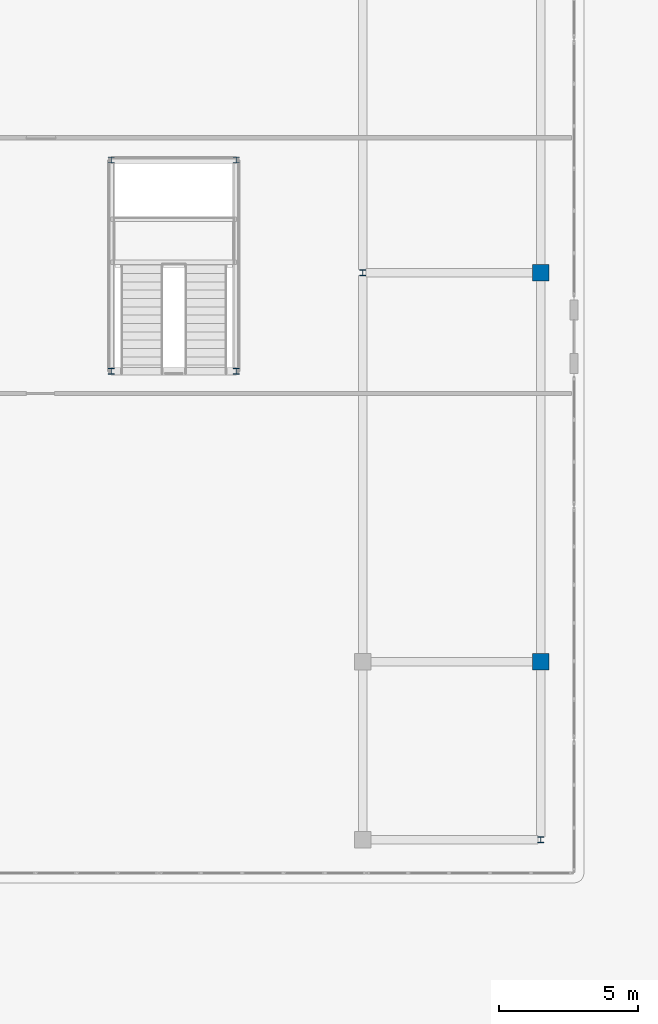
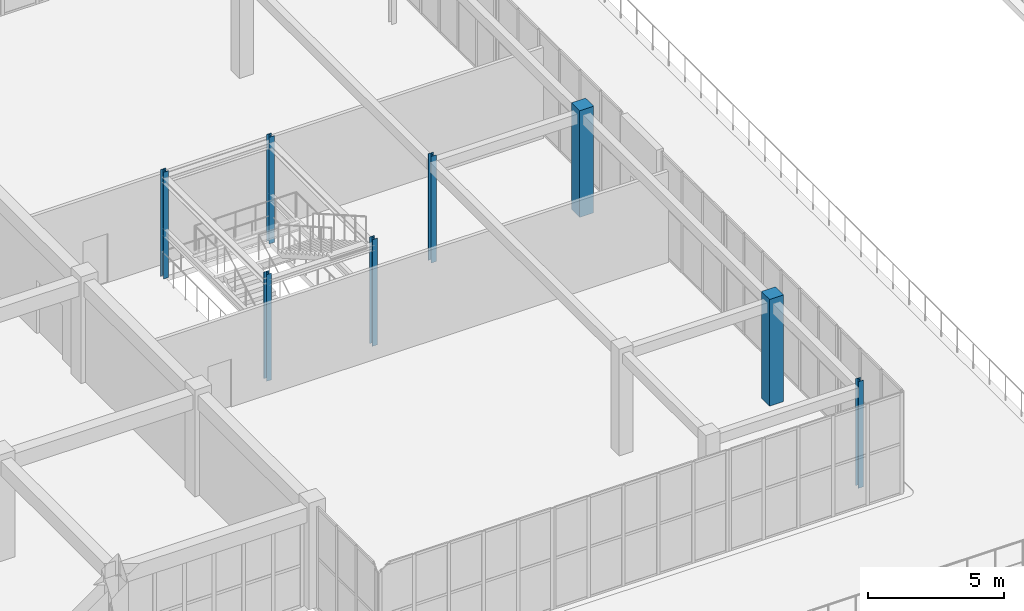
# One storey, part 6 of 158: 8 columns.
"""IFC4 building model written with IfcOpenShell, lengths in metres."""

from ifc_helpers import new_model, si_unit, direction, frame, origin, origin_2d, place, context, subcontext, project, spatial, rectangle, i_section, extrude, material, material_profile, profile_set, type_object, element, save


model = new_model("IFC4")

# Units and contexts
model_context = context("Model", 3, precision=1e-05, world=origin(), true_north=direction((0.0, 1.0)))
body_context = subcontext(model_context, "Body", "Model", "MODEL_VIEW")
ifc_project = project(units=[si_unit("LENGTHUNIT", "METRE"), si_unit("AREAUNIT", "SQUARE_METRE"), si_unit("VOLUMEUNIT", "CUBIC_METRE"), si_unit("PLANEANGLEUNIT", "RADIAN"), si_unit("MASSUNIT", "GRAM", prefix="KILO")], contexts=[model_context])

# Site, building, storey
site_placement = place(None, origin())
site = spatial("IfcSite", under=ifc_project, at=site_placement, CompositionType="ELEMENT")
building_placement = place(site_placement, origin())
building = spatial("IfcBuilding", under=site, at=building_placement, Name="Trelvath General Hospital", CompositionType="ELEMENT")
storey_placement = place(building_placement, frame((0.0, 0.0, 8.10009765625)))
storey = spatial("IfcBuildingStorey", under=building, at=storey_placement, Name="L02", CompositionType="ELEMENT", Elevation=8.10009765625)

# Columns
ifc_material_1 = material(Name="Concrete C40/50", Category="concrete")
ifc_material_profile_1 = material_profile(ifc_material_1, rectangle(XDim=0.60009765625, YDim=0.60009765625, at=origin_2d()), Name="RC600x600")
ifc_profile_set_1 = profile_set([ifc_material_profile_1], Name="Concrete C40/50")
column_type_1 = type_object("IfcColumnType", Name="Column RC600", PredefinedType="COLUMN", material=ifc_profile_set_1)
for number, where, z_axis, x_axis, name in (
    (1, (113.60009765625, 44.800048828125, 0.0), (0.0, 0.0, 1.0), (1.0, 0.0, 0.0), "Cube Interior Column CC-E07 L02"),
    (2, (113.60009765625, 58.800048828125, 0.0), (0.0, 0.0, 1.0), (1.0, 0.0, 0.0), "Cube Interior Column CC-E08 L02"),
):
    element("IfcColumn", number, at=place(storey_placement, frame(where, z_axis=z_axis, x_axis=x_axis)), inside=storey, type_object=column_type_1, Name=name, PredefinedType="COLUMN", context=body_context, shape_type="SweptSolid", body=[
        extrude(rectangle(XDim=0.60009765625, YDim=0.60009765625, at=origin_2d()), origin(), (0.0, 0.0, 1.0), 4.7998046875),
    ])
ifc_material_2 = material(Name="Steel S355", Category="steel")
ifc_material_profile_2 = material_profile(ifc_material_2, i_section(OverallWidth=0.219970703125, OverallDepth=0.219970703125, WebThickness=0.009521484375, FlangeThickness=0.01611328125, at=origin_2d()), Name="HEB220")
ifc_profile_set_2 = profile_set([ifc_material_profile_2], Name="Steel S355")
column_type_2 = type_object("IfcColumnType", Name="CubePost HEB220", PredefinedType="COLUMN", material=ifc_profile_set_2)
for number, where, z_axis, x_axis, name in (
    (3, (107.199951171875, 58.800048828125, 0.0), (0.0, 0.0, 1.0), (1.0, 0.0, 0.0), "Cube Interior Column CC-E03 L02"),
    (4, (113.60009765625, 38.39990234375, 0.0), (0.0, 0.0, 1.0), (1.0, 0.0, 0.0), "Cube Interior Column CC-E06 L02"),
):
    element("IfcColumn", number, at=place(storey_placement, frame(where, z_axis=z_axis, x_axis=x_axis)), inside=storey, type_object=column_type_2, Name=name, PredefinedType="COLUMN", context=body_context, shape_type="SweptSolid", body=[
        extrude(i_section(OverallWidth=0.219970703125, OverallDepth=0.219970703125, WebThickness=0.009521484375, FlangeThickness=0.01611328125, at=origin_2d()), origin(), (0.0, 0.0, 1.0), 4.7998046875),
    ])
ifc_material_3 = material(Name="Steel S355", Category="steel")
ifc_material_profile_3 = material_profile(ifc_material_3, i_section(OverallWidth=0.219970703125, OverallDepth=0.2099609375, WebThickness=0.007080078125, FlangeThickness=0.010986328125, at=origin_2d()), Name="HEA220")
ifc_profile_set_3 = profile_set([ifc_material_profile_3], Name="Steel S355")
column_type_3 = type_object("IfcColumnType", Name="StairPost HEA220", PredefinedType="COLUMN", material=ifc_profile_set_3)
for number, where, z_axis, x_axis, name in (
    (5, (98.14990234375, 55.25, 0.0), (0.0, 0.0, 1.0), (1.0, 0.0, 0.0), "Atrium Stair Post CUBE-E 1 L02"),
    (6, (102.64990234375, 55.25, 0.0), (0.0, 0.0, 1.0), (1.0, 0.0, 0.0), "Atrium Stair Post CUBE-E 2 L02"),
    (7, (98.14990234375, 62.85009765625, 0.0), (0.0, 0.0, 1.0), (1.0, 0.0, 0.0), "Atrium Stair Post CUBE-E 3 L02"),
    (8, (102.64990234375, 62.85009765625, 0.0), (0.0, 0.0, 1.0), (1.0, 0.0, 0.0), "Atrium Stair Post CUBE-E 4 L02"),
):
    element("IfcColumn", number, at=place(storey_placement, frame(where, z_axis=z_axis, x_axis=x_axis)), inside=storey, type_object=column_type_3, Name=name, PredefinedType="COLUMN", context=body_context, shape_type="SweptSolid", body=[
        extrude(i_section(OverallWidth=0.219970703125, OverallDepth=0.2099609375, WebThickness=0.007080078125, FlangeThickness=0.010986328125, at=origin_2d()), origin(), (0.0, 0.0, 1.0), 4.7998046875),
    ])

save(model, "model.ifc")
